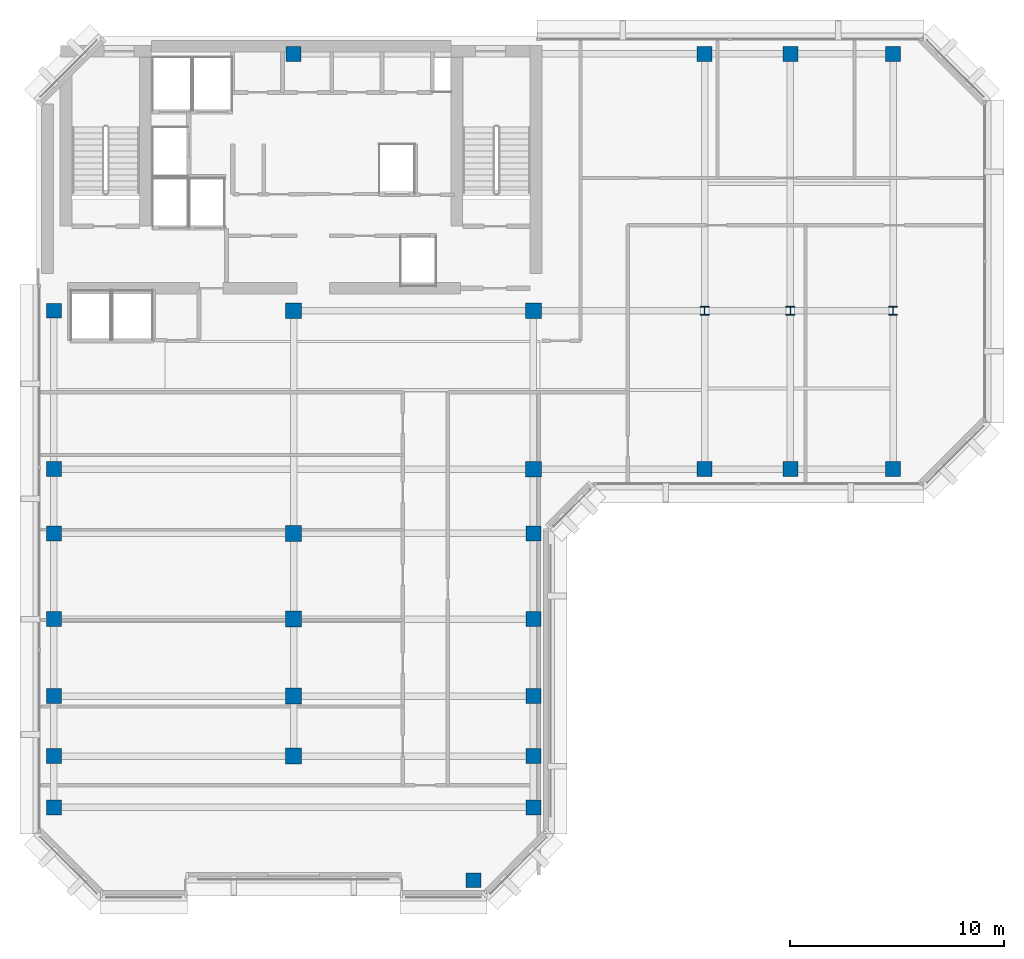
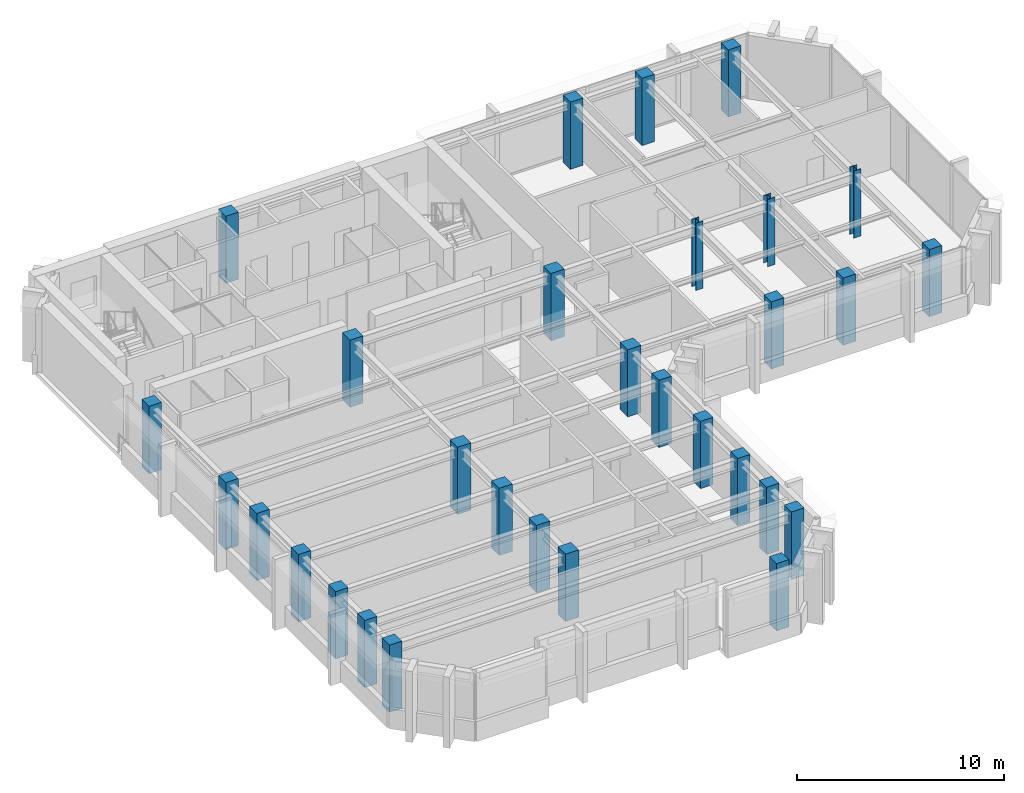
# One storey, part 1 of 13: 30 columns.
"""IFC4 building model written with IfcOpenShell, lengths in metres."""

from ifc_helpers import new_model, si_unit, direction, frame, origin, origin_2d, place, context, subcontext, project, spatial, rectangle, i_section, extrude, material, material_profile, profile_set, type_object, element, save


model = new_model("IFC4")

# Units and contexts
model_context = context("Model", 3, precision=1e-05, world=origin(), true_north=direction((0.0, 1.0)))
body_context = subcontext(model_context, "Body", "Model", "MODEL_VIEW")
ifc_project = project(units=[si_unit("LENGTHUNIT", "METRE"), si_unit("AREAUNIT", "SQUARE_METRE"), si_unit("VOLUMEUNIT", "CUBIC_METRE"), si_unit("PLANEANGLEUNIT", "RADIAN"), si_unit("MASSUNIT", "GRAM", prefix="KILO")], contexts=[model_context])

# Site, building, storey
site_placement = place(None, origin())
site = spatial("IfcSite", under=ifc_project, at=site_placement, CompositionType="ELEMENT")
building_placement = place(site_placement, origin())
building = spatial("IfcBuilding", under=site, at=building_placement, Name="Kefirva Bronze Tower", CompositionType="ELEMENT")
storey_placement = place(building_placement, frame((0.0, 0.0, 311.85009765625)))
storey = spatial("IfcBuildingStorey", under=building, at=storey_placement, Name="L76", CompositionType="ELEMENT", Elevation=311.85009765625)

# Columns
ifc_material_1 = material(Name="Concrete C50/60", Category="concrete")
ifc_material_profile_1 = material_profile(ifc_material_1, rectangle(XDim=0.699951171875, YDim=0.699951171875, at=origin_2d()), Name="RC 700x700")
ifc_profile_set_1 = profile_set([ifc_material_profile_1], Name="Concrete C50/60")
column_type_1 = type_object("IfcColumnType", Name="RC Column 700x700 Ext", PredefinedType="COLUMN", material=ifc_profile_set_1)
for number, where, z_axis, x_axis, name in (
    (1, (0.800048828125, 10.0, 0.0), (0.0, 0.0, 1.0), (1.0, 0.0, 0.0), "L76 Column C008_100"),
    (2, (0.800048828125, 12.39990234375, 0.0), (0.0, 0.0, 1.0), (1.0, 0.0, 0.0), "L76 Column C008_124"),
    (3, (0.800048828125, 15.199951171875, 0.0), (0.0, 0.0, 1.0), (1.0, 0.0, 0.0), "L76 Column C008_152"),
    (4, (0.800048828125, 18.800048828125, 0.0), (0.0, 0.0, 1.0), (1.0, 0.0, 0.0), "L76 Column C008_188"),
    (5, (0.800048828125, 22.800048828125, 0.0), (0.0, 0.0, 1.0), (1.0, 0.0, 0.0), "L76 Column C008_228"),
    (6, (0.800048828125, 25.800048828125, 0.0), (0.0, 0.0, 1.0), (1.0, 0.0, 0.0), "L76 Column C008_258"),
    (7, (0.800048828125, 33.199951171875, 0.0), (0.0, 0.0, 1.0), (1.0, 0.0, 0.0), "L76 Column C008_332"),
    (8, (12.0, 45.199951171875, 0.0), (0.0, 0.0, 1.0), (1.0, 0.0, 0.0), "L76 Column C120_452"),
    (9, (20.39990234375, 6.60009765625, 0.0), (0.0, 0.0, 1.0), (1.0, 0.0, 0.0), "L76 Column C204_066"),
    (10, (23.199951171875, 10.0, 0.0), (0.0, 0.0, 1.0), (1.0, 0.0, 0.0), "L76 Column C232_100"),
    (11, (23.199951171875, 12.39990234375, 0.0), (0.0, 0.0, 1.0), (1.0, 0.0, 0.0), "L76 Column C232_124"),
    (12, (23.199951171875, 15.199951171875, 0.0), (0.0, 0.0, 1.0), (1.0, 0.0, 0.0), "L76 Column C232_152"),
    (13, (23.199951171875, 18.800048828125, 0.0), (0.0, 0.0, 1.0), (1.0, 0.0, 0.0), "L76 Column C232_188"),
    (14, (23.199951171875, 22.800048828125, 0.0), (0.0, 0.0, 1.0), (1.0, 0.0, 0.0), "L76 Column C232_228"),
    (15, (31.199951171875, 25.800048828125, 0.0), (0.0, 0.0, 1.0), (1.0, 0.0, 0.0), "L76 Column C312_258"),
    (16, (31.199951171875, 45.199951171875, 0.0), (0.0, 0.0, 1.0), (1.0, 0.0, 0.0), "L76 Column C312_452"),
    (17, (35.199951171875, 25.800048828125, 0.0), (0.0, 0.0, 1.0), (1.0, 0.0, 0.0), "L76 Column C352_258"),
    (18, (35.199951171875, 45.199951171875, 0.0), (0.0, 0.0, 1.0), (1.0, 0.0, 0.0), "L76 Column C352_452"),
    (19, (40.0, 25.800048828125, 0.0), (0.0, 0.0, 1.0), (1.0, 0.0, 0.0), "L76 Column C400_258"),
    (20, (40.0, 45.199951171875, 0.0), (0.0, 0.0, 1.0), (1.0, 0.0, 0.0), "L76 Column C400_452"),
):
    element("IfcColumn", number, at=place(storey_placement, frame(where, z_axis=z_axis, x_axis=x_axis)), inside=storey, type_object=column_type_1, Name=name, PredefinedType="COLUMN", context=body_context, shape_type="SweptSolid", body=[
        extrude(rectangle(XDim=0.699951171875, YDim=0.699951171875, at=origin_2d()), origin(), (0.0, 0.0, 1.0), 3.9599609375),
    ])
ifc_material_profile_2 = material_profile(ifc_material_1, rectangle(XDim=0.739990234375, YDim=0.739990234375, at=origin_2d()), Name="RC 740x740")
ifc_profile_set_2 = profile_set([ifc_material_profile_2], Name="Concrete C50/60")
column_type_2 = type_object("IfcColumnType", Name="RC Column 740x740 Int", PredefinedType="COLUMN", material=ifc_profile_set_2)
for number, where, z_axis, x_axis, name in (
    (21, (12.0, 12.39990234375, 0.0), (0.0, 0.0, 1.0), (1.0, 0.0, 0.0), "L76 Column C120_124"),
    (22, (12.0, 15.199951171875, 0.0), (0.0, 0.0, 1.0), (1.0, 0.0, 0.0), "L76 Column C120_152"),
    (23, (12.0, 18.800048828125, 0.0), (0.0, 0.0, 1.0), (1.0, 0.0, 0.0), "L76 Column C120_188"),
    (24, (12.0, 22.800048828125, 0.0), (0.0, 0.0, 1.0), (1.0, 0.0, 0.0), "L76 Column C120_228"),
    (25, (12.0, 33.199951171875, 0.0), (0.0, 0.0, 1.0), (1.0, 0.0, 0.0), "L76 Column C120_332"),
    (26, (23.199951171875, 25.800048828125, 0.0), (0.0, 0.0, 1.0), (1.0, 0.0, 0.0), "L76 Column C232_258"),
    (27, (23.199951171875, 33.199951171875, 0.0), (0.0, 0.0, 1.0), (1.0, 0.0, 0.0), "L76 Column C232_332"),
):
    element("IfcColumn", number, at=place(storey_placement, frame(where, z_axis=z_axis, x_axis=x_axis)), inside=storey, type_object=column_type_2, Name=name, PredefinedType="COLUMN", context=body_context, shape_type="SweptSolid", body=[
        extrude(rectangle(XDim=0.739990234375, YDim=0.739990234375, at=origin_2d()), origin(), (0.0, 0.0, 1.0), 3.9599609375),
    ])
ifc_material_2 = material(Name="Steel S460", Category="steel")
ifc_material_profile_3 = material_profile(ifc_material_2, i_section(OverallWidth=0.406005859375, OverallDepth=0.416015625, WebThickness=0.02197265625, FlangeThickness=0.035888671875, at=origin_2d()), Name="HD 400x382")
ifc_profile_set_3 = profile_set([ifc_material_profile_3], Name="Steel S460")
column_type_3 = type_object("IfcColumnType", Name="Steel Column HD 400x382", PredefinedType="COLUMN", material=ifc_profile_set_3)
for number, where, z_axis, x_axis, name in (
    (28, (31.199951171875, 33.199951171875, 0.0), (0.0, 0.0, 1.0), (1.0, 0.0, 0.0), "L76 Column C312_332"),
    (29, (35.199951171875, 33.199951171875, 0.0), (0.0, 0.0, 1.0), (1.0, 0.0, 0.0), "L76 Column C352_332"),
    (30, (40.0, 33.199951171875, 0.0), (0.0, 0.0, 1.0), (1.0, 0.0, 0.0), "L76 Column C400_332"),
):
    element("IfcColumn", number, at=place(storey_placement, frame(where, z_axis=z_axis, x_axis=x_axis)), inside=storey, type_object=column_type_3, Name=name, PredefinedType="COLUMN", context=body_context, shape_type="SweptSolid", body=[
        extrude(i_section(OverallWidth=0.406005859375, OverallDepth=0.416015625, WebThickness=0.02197265625, FlangeThickness=0.035888671875, at=origin_2d()), origin(), (0.0, 0.0, 1.0), 3.9599609375),
    ])

save(model, "model.ifc")
